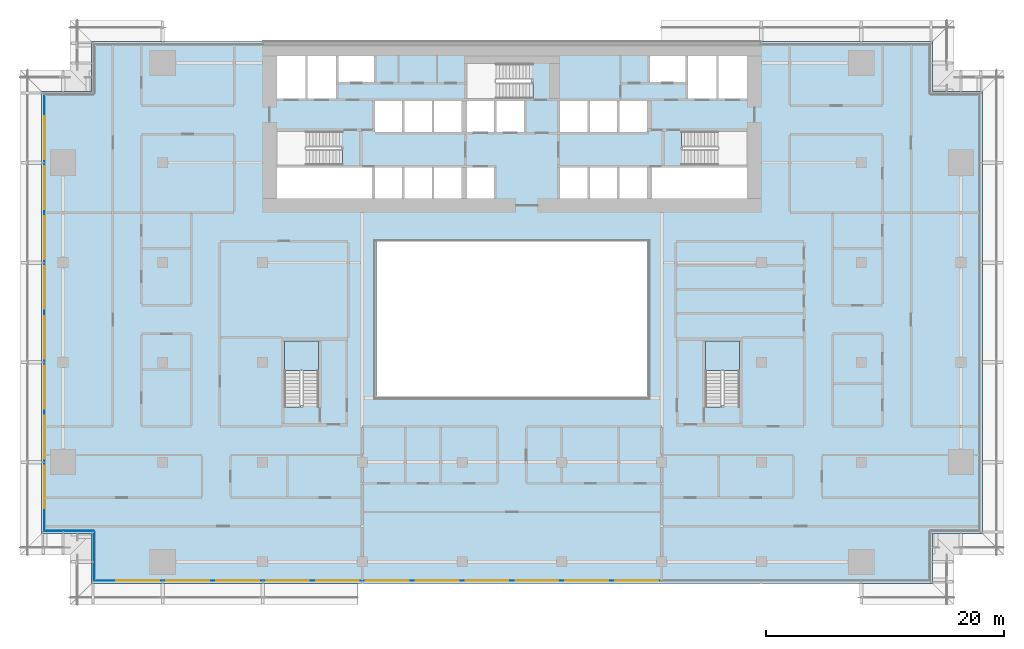
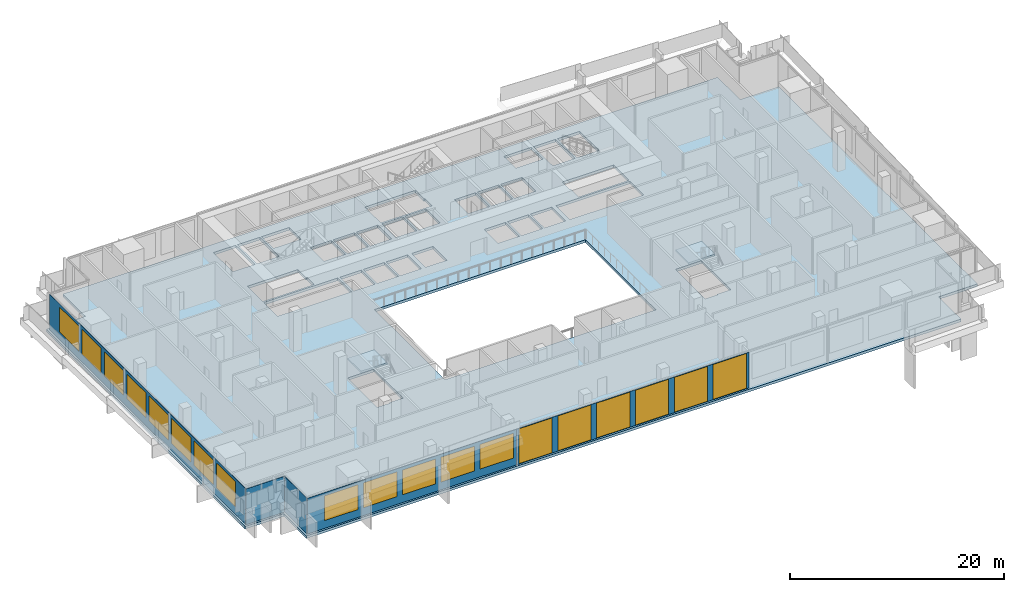
# One storey, part 11 of 23: 19 windows, 5 plates, 3 slabs, 19 openings, 6 elements without a shape of their own.
"""IFC4 building model written with IfcOpenShell, lengths in metres."""

from ifc_helpers import new_model, si_unit, direction, frame, frame_2d, origin, place, context, subcontext, project, spatial, polyline, rectangle, outline, extrude, material, layer, layer_set, type_object, element, fill, aggregate, save


model = new_model("IFC4")

# Units and contexts
model_context = context("Model", 3, precision=1e-05, world=origin(), true_north=direction((0.0, 1.0)))
body_context = subcontext(model_context, "Body", "Model", "MODEL_VIEW")
ifc_project = project(units=[si_unit("LENGTHUNIT", "METRE"), si_unit("AREAUNIT", "SQUARE_METRE"), si_unit("VOLUMEUNIT", "CUBIC_METRE"), si_unit("PLANEANGLEUNIT", "RADIAN"), si_unit("MASSUNIT", "GRAM", prefix="KILO")], contexts=[model_context])

# Site, building, storey
site_placement = place(None, origin())
site = spatial("IfcSite", under=ifc_project, at=site_placement, CompositionType="ELEMENT")
building_placement = place(site_placement, origin())
building = spatial("IfcBuilding", under=site, at=building_placement, Name="Saffron Gate Tower", CompositionType="ELEMENT")
storey_placement = place(building_placement, frame((0.0, 0.0, 23.699951171875)))
storey = spatial("IfcBuildingStorey", under=building, at=storey_placement, Name="L04", CompositionType="ELEMENT", Elevation=23.699951171875)

# Curtain wall, plates, openings, windows
ifc_material_1 = material(Name="Aluminium, bronze anodised", Category="aluminium")
curtain_wall_type = type_object("IfcCurtainWallType", Name="CWS6 curtain wall tall storeys", PredefinedType="NOTDEFINED", material=ifc_material_1)
curtain_wall_1_placement = place(storey_placement, origin())
curtain_wall_1 = element("IfcCurtainWall", 1, at=curtain_wall_1_placement, inside=storey, type_object=curtain_wall_type, Name="CWS6 run 1", PredefinedType="NOTDEFINED")
ifc_material_2 = material(Name="Clear low-iron laminated glass", Category="glass")
ifc_layer_1 = layer(ifc_material_2, 0.028076171875)
ifc_layer_set_1 = layer_set([ifc_layer_1], Name="CWS6 clear glass")
plate_type_1 = type_object("IfcPlateType", Name="CWS6 clear glass", PredefinedType="CURTAIN_PANEL", material=ifc_layer_set_1)
plate_1_placement = place(storey_placement, frame((75.0400390625, 30.214111328125, 0.0), z_axis=(0.0, 0.0, 1.0), x_axis=(1.0, 0.0, 0.0)))
plate_1 = element("IfcPlate", 2, at=plate_1_placement, type_object=plate_type_1, Name="CWS6 clear glass panel", PredefinedType="CURTAIN_PANEL", context=body_context, shape_type="SweptSolid", body=[
    extrude(rectangle(XDim=25.119873046875, YDim=0.028076171875, at=frame_2d((12.56005859375, 0.0))), origin(), (0.0, 0.0, 1.0), 4.080078125),
])
opening_1_placement = place(plate_1_placement, frame((0.260009765625, 0.0, 0.050048828125)))
opening_1 = element("IfcOpeningElement", 3, at=opening_1_placement, cuts=plate_1, Name="Opening WA", PredefinedType="OPENING", context=body_context, shape_type="SweptSolid", body=[
    extrude(rectangle(XDim=3.60009765625, YDim=3.97998046875, at=frame_2d((1.800048828125, 1.989990234375))), frame((0.0, 0.02392578125, 0.0), z_axis=(0.0, -1.0, 0.0), x_axis=(1.0, 0.0, 0.0)), (0.0, 0.0, 1.0), 0.048095703125),
])
opening_2_placement = place(plate_1_placement, frame((4.4599609375, 0.0, 0.050048828125)))
opening_2 = element("IfcOpeningElement", 4, at=opening_2_placement, cuts=plate_1, Name="Opening WA", PredefinedType="OPENING", context=body_context, shape_type="SweptSolid", body=[
    extrude(rectangle(XDim=3.60009765625, YDim=3.97998046875, at=frame_2d((1.800048828125, 1.989990234375))), frame((0.0, 0.02392578125, 0.0), z_axis=(0.0, -1.0, 0.0), x_axis=(1.0, 0.0, 0.0)), (0.0, 0.0, 1.0), 0.048095703125),
])
opening_3_placement = place(plate_1_placement, frame((8.659912109375, 0.0, 0.050048828125)))
opening_3 = element("IfcOpeningElement", 5, at=opening_3_placement, cuts=plate_1, Name="Opening WA", PredefinedType="OPENING", context=body_context, shape_type="SweptSolid", body=[
    extrude(rectangle(XDim=3.60009765625, YDim=3.97998046875, at=frame_2d((1.800048828125, 1.989990234375))), frame((0.0, 0.02392578125, 0.0), z_axis=(0.0, -1.0, 0.0), x_axis=(1.0, 0.0, 0.0)), (0.0, 0.0, 1.0), 0.048095703125),
])
opening_4_placement = place(plate_1_placement, frame((12.860107421875, 0.0, 0.050048828125)))
opening_4 = element("IfcOpeningElement", 6, at=opening_4_placement, cuts=plate_1, Name="Opening WA", PredefinedType="OPENING", context=body_context, shape_type="SweptSolid", body=[
    extrude(rectangle(XDim=3.60009765625, YDim=3.97998046875, at=frame_2d((1.800048828125, 1.989990234375))), frame((0.0, 0.02392578125, 0.0), z_axis=(0.0, -1.0, 0.0), x_axis=(1.0, 0.0, 0.0)), (0.0, 0.0, 1.0), 0.048095703125),
])
opening_5_placement = place(plate_1_placement, frame((17.06005859375, 0.0, 0.050048828125)))
opening_5 = element("IfcOpeningElement", 7, at=opening_5_placement, cuts=plate_1, Name="Opening WA", PredefinedType="OPENING", context=body_context, shape_type="SweptSolid", body=[
    extrude(rectangle(XDim=3.60009765625, YDim=3.97998046875, at=frame_2d((1.800048828125, 1.989990234375))), frame((0.0, 0.02392578125, 0.0), z_axis=(0.0, -1.0, 0.0), x_axis=(1.0, 0.0, 0.0)), (0.0, 0.0, 1.0), 0.048095703125),
])
opening_6_placement = place(plate_1_placement, frame((21.260009765625, 0.0, 0.050048828125)))
opening_6 = element("IfcOpeningElement", 8, at=opening_6_placement, cuts=plate_1, Name="Opening WA", PredefinedType="OPENING", context=body_context, shape_type="SweptSolid", body=[
    extrude(rectangle(XDim=3.60009765625, YDim=3.97998046875, at=frame_2d((1.800048828125, 1.989990234375))), frame((0.0, 0.02392578125, 0.0), z_axis=(0.0, -1.0, 0.0), x_axis=(1.0, 0.0, 0.0)), (0.0, 0.0, 1.0), 0.048095703125),
])
ifc_material_3 = material(Name="Clear low-iron laminated glass in bronze frame", Category="glass")
ifc_layer_2 = layer(ifc_material_3, 0.06005859375)
ifc_layer_set_2 = layer_set([ifc_layer_2], Name="WA operable atrium unit 3600x3980")
window_type_1 = type_object("IfcWindowType", Name="WA operable atrium unit 3600x3980", PartitioningType="DOUBLE_PANEL_HORIZONTAL", PredefinedType="WINDOW", material=ifc_layer_set_2)
window_1_placement = place(opening_1_placement, origin())
window_1 = element("IfcWindow", 9, at=window_1_placement, type_object=window_type_1, Name="WA operable atrium unit", OverallHeight=3.97998046875, OverallWidth=3.60009765625, PartitioningType="SINGLE_PANEL", PredefinedType="WINDOW", context=body_context, shape_type="SweptSolid", body=[
    extrude(rectangle(XDim=3.60009765625, YDim=3.97998046875, at=frame_2d((1.800048828125, 1.989990234375))), frame((0.0, 0.013671875, 0.0), z_axis=(0.0, -1.0, 0.0), x_axis=(1.0, 0.0, 0.0)), (0.0, 0.0, 1.0), 0.027587890625),
])
fill(opening_1, window_1)
window_2_placement = place(opening_2_placement, origin())
window_2 = element("IfcWindow", 10, at=window_2_placement, type_object=window_type_1, Name="WA operable atrium unit", OverallHeight=3.97998046875, OverallWidth=3.60009765625, PartitioningType="SINGLE_PANEL", PredefinedType="WINDOW", context=body_context, shape_type="SweptSolid", body=[
    extrude(rectangle(XDim=3.60009765625, YDim=3.97998046875, at=frame_2d((1.800048828125, 1.989990234375))), frame((0.0, 0.013671875, 0.0), z_axis=(0.0, -1.0, 0.0), x_axis=(1.0, 0.0, 0.0)), (0.0, 0.0, 1.0), 0.027587890625),
])
fill(opening_2, window_2)
window_3_placement = place(opening_3_placement, origin())
window_3 = element("IfcWindow", 11, at=window_3_placement, type_object=window_type_1, Name="WA operable atrium unit", OverallHeight=3.97998046875, OverallWidth=3.60009765625, PartitioningType="SINGLE_PANEL", PredefinedType="WINDOW", context=body_context, shape_type="SweptSolid", body=[
    extrude(rectangle(XDim=3.60009765625, YDim=3.97998046875, at=frame_2d((1.800048828125, 1.989990234375))), frame((0.0, 0.013671875, 0.0), z_axis=(0.0, -1.0, 0.0), x_axis=(1.0, 0.0, 0.0)), (0.0, 0.0, 1.0), 0.027587890625),
])
fill(opening_3, window_3)
window_4_placement = place(opening_4_placement, origin())
window_4 = element("IfcWindow", 12, at=window_4_placement, type_object=window_type_1, Name="WA operable atrium unit", OverallHeight=3.97998046875, OverallWidth=3.60009765625, PartitioningType="SINGLE_PANEL", PredefinedType="WINDOW", context=body_context, shape_type="SweptSolid", body=[
    extrude(rectangle(XDim=3.60009765625, YDim=3.97998046875, at=frame_2d((1.800048828125, 1.989990234375))), frame((0.0, 0.013671875, 0.0), z_axis=(0.0, -1.0, 0.0), x_axis=(1.0, 0.0, 0.0)), (0.0, 0.0, 1.0), 0.027587890625),
])
fill(opening_4, window_4)
window_5_placement = place(opening_5_placement, origin())
window_5 = element("IfcWindow", 13, at=window_5_placement, type_object=window_type_1, Name="WA operable atrium unit", OverallHeight=3.97998046875, OverallWidth=3.60009765625, PartitioningType="SINGLE_PANEL", PredefinedType="WINDOW", context=body_context, shape_type="SweptSolid", body=[
    extrude(rectangle(XDim=3.60009765625, YDim=3.97998046875, at=frame_2d((1.800048828125, 1.989990234375))), frame((0.0, 0.013671875, 0.0), z_axis=(0.0, -1.0, 0.0), x_axis=(1.0, 0.0, 0.0)), (0.0, 0.0, 1.0), 0.027587890625),
])
fill(opening_5, window_5)
window_6_placement = place(opening_6_placement, origin())
window_6 = element("IfcWindow", 14, at=window_6_placement, type_object=window_type_1, Name="WA operable atrium unit", OverallHeight=3.97998046875, OverallWidth=3.60009765625, PartitioningType="SINGLE_PANEL", PredefinedType="WINDOW", context=body_context, shape_type="SweptSolid", body=[
    extrude(rectangle(XDim=3.60009765625, YDim=3.97998046875, at=frame_2d((1.800048828125, 1.989990234375))), frame((0.0, 0.013671875, 0.0), z_axis=(0.0, -1.0, 0.0), x_axis=(1.0, 0.0, 0.0)), (0.0, 0.0, 1.0), 0.027587890625),
])
fill(opening_6, window_6)
ifc_material_4 = material(Name="Fritted bronze-tinted laminated glass", Category="glass")
ifc_layer_3 = layer(ifc_material_4, 0.028076171875)
ifc_layer_set_3 = layer_set([ifc_layer_3], Name="CWS6 fixed glass")
plate_type_2 = type_object("IfcPlateType", Name="CWS6 fixed glass", PredefinedType="CURTAIN_PANEL", material=ifc_layer_set_3)
plate_2_placement = place(storey_placement, frame((52.427978515625, 30.214111328125, 0.0), z_axis=(0.0, 0.0, 1.0), x_axis=(1.0, 0.0, 0.0)))
plate_2 = element("IfcPlate", 15, at=plate_2_placement, type_object=plate_type_2, Name="CWS6 glass panel", PredefinedType="CURTAIN_PANEL", context=body_context, shape_type="SweptSolid", body=[
    extrude(rectangle(XDim=22.612060546875, YDim=0.028076171875, at=frame_2d((11.30615234375, 0.0))), origin(), (0.0, 0.0, 1.0), 4.080078125),
])
opening_7_placement = place(plate_2_placement, frame((1.8720703125, 0.0, 0.89990234375)))
opening_7 = element("IfcOpeningElement", 16, at=opening_7_placement, cuts=plate_2, Name="Opening W3", PredefinedType="OPENING", context=body_context, shape_type="SweptSolid", body=[
    extrude(rectangle(XDim=3.60009765625, YDim=2.830078125, at=frame_2d((1.800048828125, 1.4150390625))), frame((0.0, 0.02392578125, 0.0), z_axis=(0.0, -1.0, 0.0), x_axis=(1.0, 0.0, 0.0)), (0.0, 0.0, 1.0), 0.048095703125),
])
opening_8_placement = place(plate_2_placement, frame((6.072021484375, 0.0, 0.89990234375)))
opening_8 = element("IfcOpeningElement", 17, at=opening_8_placement, cuts=plate_2, Name="Opening W3", PredefinedType="OPENING", context=body_context, shape_type="SweptSolid", body=[
    extrude(rectangle(XDim=3.60009765625, YDim=2.830078125, at=frame_2d((1.800048828125, 1.4150390625))), frame((0.0, 0.02392578125, 0.0), z_axis=(0.0, -1.0, 0.0), x_axis=(1.0, 0.0, 0.0)), (0.0, 0.0, 1.0), 0.048095703125),
])
opening_9_placement = place(plate_2_placement, frame((10.27197265625, 0.0, 0.89990234375)))
opening_9 = element("IfcOpeningElement", 18, at=opening_9_placement, cuts=plate_2, Name="Opening W3", PredefinedType="OPENING", context=body_context, shape_type="SweptSolid", body=[
    extrude(rectangle(XDim=3.60009765625, YDim=2.830078125, at=frame_2d((1.800048828125, 1.4150390625))), frame((0.0, 0.02392578125, 0.0), z_axis=(0.0, -1.0, 0.0), x_axis=(1.0, 0.0, 0.0)), (0.0, 0.0, 1.0), 0.048095703125),
])
opening_10_placement = place(plate_2_placement, frame((14.471923828125, 0.0, 0.89990234375)))
opening_10 = element("IfcOpeningElement", 19, at=opening_10_placement, cuts=plate_2, Name="Opening W3", PredefinedType="OPENING", context=body_context, shape_type="SweptSolid", body=[
    extrude(rectangle(XDim=3.60009765625, YDim=2.830078125, at=frame_2d((1.800048828125, 1.4150390625))), frame((0.0, 0.02392578125, 0.0), z_axis=(0.0, -1.0, 0.0), x_axis=(1.0, 0.0, 0.0)), (0.0, 0.0, 1.0), 0.048095703125),
])
opening_11_placement = place(plate_2_placement, frame((18.672119140625, 0.0, 0.89990234375)))
opening_11 = element("IfcOpeningElement", 20, at=opening_11_placement, cuts=plate_2, Name="Opening W3", PredefinedType="OPENING", context=body_context, shape_type="SweptSolid", body=[
    extrude(rectangle(XDim=3.60009765625, YDim=2.830078125, at=frame_2d((1.800048828125, 1.4150390625))), frame((0.0, 0.02392578125, 0.0), z_axis=(0.0, -1.0, 0.0), x_axis=(1.0, 0.0, 0.0)), (0.0, 0.0, 1.0), 0.048095703125),
])
ifc_material_5 = material(Name="Fritted bronze-tinted laminated glass in bronze frame", Category="glass")
ifc_layer_4 = layer(ifc_material_5, 0.06005859375)
ifc_layer_set_4 = layer_set([ifc_layer_4], Name="W3 operable panel 3600x2830")
window_type_2 = type_object("IfcWindowType", Name="W3 operable panel 3600x2830", PartitioningType="DOUBLE_PANEL_HORIZONTAL", PredefinedType="WINDOW", material=ifc_layer_set_4)
window_7_placement = place(opening_7_placement, origin())
window_7 = element("IfcWindow", 21, at=window_7_placement, type_object=window_type_2, Name="W3 operable panel", OverallHeight=2.830078125, OverallWidth=3.60009765625, PartitioningType="SINGLE_PANEL", PredefinedType="WINDOW", context=body_context, shape_type="SweptSolid", body=[
    extrude(rectangle(XDim=3.60009765625, YDim=2.830078125, at=frame_2d((1.800048828125, 1.4150390625))), frame((0.0, 0.013671875, 0.0), z_axis=(0.0, -1.0, 0.0), x_axis=(1.0, 0.0, 0.0)), (0.0, 0.0, 1.0), 0.027587890625),
])
fill(opening_7, window_7)
window_8_placement = place(opening_8_placement, origin())
window_8 = element("IfcWindow", 22, at=window_8_placement, type_object=window_type_2, Name="W3 operable panel", OverallHeight=2.830078125, OverallWidth=3.60009765625, PartitioningType="SINGLE_PANEL", PredefinedType="WINDOW", context=body_context, shape_type="SweptSolid", body=[
    extrude(rectangle(XDim=3.60009765625, YDim=2.830078125, at=frame_2d((1.800048828125, 1.4150390625))), frame((0.0, 0.013671875, 0.0), z_axis=(0.0, -1.0, 0.0), x_axis=(1.0, 0.0, 0.0)), (0.0, 0.0, 1.0), 0.027587890625),
])
fill(opening_8, window_8)
window_9_placement = place(opening_9_placement, origin())
window_9 = element("IfcWindow", 23, at=window_9_placement, type_object=window_type_2, Name="W3 operable panel", OverallHeight=2.830078125, OverallWidth=3.60009765625, PartitioningType="SINGLE_PANEL", PredefinedType="WINDOW", context=body_context, shape_type="SweptSolid", body=[
    extrude(rectangle(XDim=3.60009765625, YDim=2.830078125, at=frame_2d((1.800048828125, 1.4150390625))), frame((0.0, 0.013671875, 0.0), z_axis=(0.0, -1.0, 0.0), x_axis=(1.0, 0.0, 0.0)), (0.0, 0.0, 1.0), 0.027587890625),
])
fill(opening_9, window_9)
window_10_placement = place(opening_10_placement, origin())
window_10 = element("IfcWindow", 24, at=window_10_placement, type_object=window_type_2, Name="W3 operable panel", OverallHeight=2.830078125, OverallWidth=3.60009765625, PartitioningType="SINGLE_PANEL", PredefinedType="WINDOW", context=body_context, shape_type="SweptSolid", body=[
    extrude(rectangle(XDim=3.60009765625, YDim=2.830078125, at=frame_2d((1.800048828125, 1.4150390625))), frame((0.0, 0.013671875, 0.0), z_axis=(0.0, -1.0, 0.0), x_axis=(1.0, 0.0, 0.0)), (0.0, 0.0, 1.0), 0.027587890625),
])
fill(opening_10, window_10)
window_11_placement = place(opening_11_placement, origin())
window_11 = element("IfcWindow", 25, at=window_11_placement, type_object=window_type_2, Name="W3 operable panel", OverallHeight=2.830078125, OverallWidth=3.60009765625, PartitioningType="SINGLE_PANEL", PredefinedType="WINDOW", context=body_context, shape_type="SweptSolid", body=[
    extrude(rectangle(XDim=3.60009765625, YDim=2.830078125, at=frame_2d((1.800048828125, 1.4150390625))), frame((0.0, 0.013671875, 0.0), z_axis=(0.0, -1.0, 0.0), x_axis=(1.0, 0.0, 0.0)), (0.0, 0.0, 1.0), 0.027587890625),
])
fill(opening_11, window_11)
aggregate(curtain_wall_1, [plate_2, plate_1, window_7, window_8, window_9, window_10, window_11, window_1, window_2, window_3, window_4, window_5, window_6])

# Curtain wall, plate, openings, windows
curtain_wall_2_placement = place(storey_placement, origin())
curtain_wall_2 = element("IfcCurtainWall", 26, at=curtain_wall_2_placement, inside=storey, type_object=curtain_wall_type, Name="CWS6 run 10", PredefinedType="NOTDEFINED")
plate_3_placement = place(storey_placement, frame((48.214111328125, 71.172119140625, 0.0), z_axis=(0.0, 0.0, 1.0), x_axis=(0.0, -1.0, 0.0)))
plate_3 = element("IfcPlate", 27, at=plate_3_placement, type_object=plate_type_2, Name="CWS6 glass panel", PredefinedType="CURTAIN_PANEL", context=body_context, shape_type="SweptSolid", body=[
    extrude(rectangle(XDim=36.744140625, YDim=0.028076171875, at=frame_2d((18.3720703125, 0.0))), origin(), (0.0, 0.0, 1.0), 4.080078125),
])
opening_12_placement = place(plate_3_placement, frame((1.8720703125, 0.0, 0.89990234375)))
opening_12 = element("IfcOpeningElement", 28, at=opening_12_placement, cuts=plate_3, Name="Opening W3", PredefinedType="OPENING", context=body_context, shape_type="SweptSolid", body=[
    extrude(rectangle(XDim=3.60009765625, YDim=2.830078125, at=frame_2d((1.800048828125, 1.4150390625))), frame((0.0, 0.02392578125, 0.0), z_axis=(0.0, -1.0, 0.0), x_axis=(1.0, 0.0, 0.0)), (0.0, 0.0, 1.0), 0.048095703125),
])
opening_13_placement = place(plate_3_placement, frame((6.072021484375, 0.0, 0.89990234375)))
opening_13 = element("IfcOpeningElement", 29, at=opening_13_placement, cuts=plate_3, Name="Opening W3", PredefinedType="OPENING", context=body_context, shape_type="SweptSolid", body=[
    extrude(rectangle(XDim=3.60009765625, YDim=2.830078125, at=frame_2d((1.800048828125, 1.4150390625))), frame((0.0, 0.02392578125, 0.0), z_axis=(0.0, -1.0, 0.0), x_axis=(1.0, 0.0, 0.0)), (0.0, 0.0, 1.0), 0.048095703125),
])
opening_14_placement = place(plate_3_placement, frame((10.27197265625, 0.0, 0.89990234375)))
opening_14 = element("IfcOpeningElement", 30, at=opening_14_placement, cuts=plate_3, Name="Opening W3", PredefinedType="OPENING", context=body_context, shape_type="SweptSolid", body=[
    extrude(rectangle(XDim=3.60009765625, YDim=2.830078125, at=frame_2d((1.800048828125, 1.4150390625))), frame((0.0, 0.02392578125, 0.0), z_axis=(0.0, -1.0, 0.0), x_axis=(1.0, 0.0, 0.0)), (0.0, 0.0, 1.0), 0.048095703125),
])
opening_15_placement = place(plate_3_placement, frame((14.471923828125, 0.0, 0.89990234375)))
opening_15 = element("IfcOpeningElement", 31, at=opening_15_placement, cuts=plate_3, Name="Opening W3", PredefinedType="OPENING", context=body_context, shape_type="SweptSolid", body=[
    extrude(rectangle(XDim=3.60009765625, YDim=2.830078125, at=frame_2d((1.800048828125, 1.4150390625))), frame((0.0, 0.02392578125, 0.0), z_axis=(0.0, -1.0, 0.0), x_axis=(1.0, 0.0, 0.0)), (0.0, 0.0, 1.0), 0.048095703125),
])
opening_16_placement = place(plate_3_placement, frame((18.672119140625, 0.0, 0.89990234375)))
opening_16 = element("IfcOpeningElement", 32, at=opening_16_placement, cuts=plate_3, Name="Opening W3", PredefinedType="OPENING", context=body_context, shape_type="SweptSolid", body=[
    extrude(rectangle(XDim=3.60009765625, YDim=2.830078125, at=frame_2d((1.800048828125, 1.4150390625))), frame((0.0, 0.02392578125, 0.0), z_axis=(0.0, -1.0, 0.0), x_axis=(1.0, 0.0, 0.0)), (0.0, 0.0, 1.0), 0.048095703125),
])
opening_17_placement = place(plate_3_placement, frame((22.8720703125, 0.0, 0.89990234375)))
opening_17 = element("IfcOpeningElement", 33, at=opening_17_placement, cuts=plate_3, Name="Opening W3", PredefinedType="OPENING", context=body_context, shape_type="SweptSolid", body=[
    extrude(rectangle(XDim=3.60009765625, YDim=2.830078125, at=frame_2d((1.800048828125, 1.4150390625))), frame((0.0, 0.02392578125, 0.0), z_axis=(0.0, -1.0, 0.0), x_axis=(1.0, 0.0, 0.0)), (0.0, 0.0, 1.0), 0.048095703125),
])
opening_18_placement = place(plate_3_placement, frame((27.072021484375, 0.0, 0.89990234375)))
opening_18 = element("IfcOpeningElement", 34, at=opening_18_placement, cuts=plate_3, Name="Opening W3", PredefinedType="OPENING", context=body_context, shape_type="SweptSolid", body=[
    extrude(rectangle(XDim=3.60009765625, YDim=2.830078125, at=frame_2d((1.800048828125, 1.4150390625))), frame((0.0, 0.02392578125, 0.0), z_axis=(0.0, -1.0, 0.0), x_axis=(1.0, 0.0, 0.0)), (0.0, 0.0, 1.0), 0.048095703125),
])
opening_19_placement = place(plate_3_placement, frame((31.27197265625, 0.0, 0.89990234375)))
opening_19 = element("IfcOpeningElement", 35, at=opening_19_placement, cuts=plate_3, Name="Opening W3", PredefinedType="OPENING", context=body_context, shape_type="SweptSolid", body=[
    extrude(rectangle(XDim=3.60009765625, YDim=2.830078125, at=frame_2d((1.800048828125, 1.4150390625))), frame((0.0, 0.02392578125, 0.0), z_axis=(0.0, -1.0, 0.0), x_axis=(1.0, 0.0, 0.0)), (0.0, 0.0, 1.0), 0.048095703125),
])
window_12_placement = place(opening_12_placement, origin())
window_12 = element("IfcWindow", 36, at=window_12_placement, type_object=window_type_2, Name="W3 operable panel", OverallHeight=2.830078125, OverallWidth=3.60009765625, PartitioningType="SINGLE_PANEL", PredefinedType="WINDOW", context=body_context, shape_type="SweptSolid", body=[
    extrude(rectangle(XDim=3.60009765625, YDim=2.830078125, at=frame_2d((1.800048828125, 1.4150390625))), frame((0.0, 0.013671875, 0.0), z_axis=(0.0, -1.0, 0.0), x_axis=(1.0, 0.0, 0.0)), (0.0, 0.0, 1.0), 0.027587890625),
])
fill(opening_12, window_12)
window_13_placement = place(opening_13_placement, origin())
window_13 = element("IfcWindow", 37, at=window_13_placement, type_object=window_type_2, Name="W3 operable panel", OverallHeight=2.830078125, OverallWidth=3.60009765625, PartitioningType="SINGLE_PANEL", PredefinedType="WINDOW", context=body_context, shape_type="SweptSolid", body=[
    extrude(rectangle(XDim=3.60009765625, YDim=2.830078125, at=frame_2d((1.800048828125, 1.4150390625))), frame((0.0, 0.013671875, 0.0), z_axis=(0.0, -1.0, 0.0), x_axis=(1.0, 0.0, 0.0)), (0.0, 0.0, 1.0), 0.027587890625),
])
fill(opening_13, window_13)
window_14_placement = place(opening_14_placement, origin())
window_14 = element("IfcWindow", 38, at=window_14_placement, type_object=window_type_2, Name="W3 operable panel", OverallHeight=2.830078125, OverallWidth=3.60009765625, PartitioningType="SINGLE_PANEL", PredefinedType="WINDOW", context=body_context, shape_type="SweptSolid", body=[
    extrude(rectangle(XDim=3.60009765625, YDim=2.830078125, at=frame_2d((1.800048828125, 1.4150390625))), frame((0.0, 0.013671875, 0.0), z_axis=(0.0, -1.0, 0.0), x_axis=(1.0, 0.0, 0.0)), (0.0, 0.0, 1.0), 0.027587890625),
])
fill(opening_14, window_14)
window_15_placement = place(opening_15_placement, origin())
window_15 = element("IfcWindow", 39, at=window_15_placement, type_object=window_type_2, Name="W3 operable panel", OverallHeight=2.830078125, OverallWidth=3.60009765625, PartitioningType="SINGLE_PANEL", PredefinedType="WINDOW", context=body_context, shape_type="SweptSolid", body=[
    extrude(rectangle(XDim=3.60009765625, YDim=2.830078125, at=frame_2d((1.800048828125, 1.4150390625))), frame((0.0, 0.013671875, 0.0), z_axis=(0.0, -1.0, 0.0), x_axis=(1.0, 0.0, 0.0)), (0.0, 0.0, 1.0), 0.027587890625),
])
fill(opening_15, window_15)
window_16_placement = place(opening_16_placement, origin())
window_16 = element("IfcWindow", 40, at=window_16_placement, type_object=window_type_2, Name="W3 operable panel", OverallHeight=2.830078125, OverallWidth=3.60009765625, PartitioningType="SINGLE_PANEL", PredefinedType="WINDOW", context=body_context, shape_type="SweptSolid", body=[
    extrude(rectangle(XDim=3.60009765625, YDim=2.830078125, at=frame_2d((1.800048828125, 1.4150390625))), frame((0.0, 0.013671875, 0.0), z_axis=(0.0, -1.0, 0.0), x_axis=(1.0, 0.0, 0.0)), (0.0, 0.0, 1.0), 0.027587890625),
])
fill(opening_16, window_16)
window_17_placement = place(opening_17_placement, origin())
window_17 = element("IfcWindow", 41, at=window_17_placement, type_object=window_type_2, Name="W3 operable panel", OverallHeight=2.830078125, OverallWidth=3.60009765625, PartitioningType="SINGLE_PANEL", PredefinedType="WINDOW", context=body_context, shape_type="SweptSolid", body=[
    extrude(rectangle(XDim=3.60009765625, YDim=2.830078125, at=frame_2d((1.800048828125, 1.4150390625))), frame((0.0, 0.013671875, 0.0), z_axis=(0.0, -1.0, 0.0), x_axis=(1.0, 0.0, 0.0)), (0.0, 0.0, 1.0), 0.027587890625),
])
fill(opening_17, window_17)
window_18_placement = place(opening_18_placement, origin())
window_18 = element("IfcWindow", 42, at=window_18_placement, type_object=window_type_2, Name="W3 operable panel", OverallHeight=2.830078125, OverallWidth=3.60009765625, PartitioningType="SINGLE_PANEL", PredefinedType="WINDOW", context=body_context, shape_type="SweptSolid", body=[
    extrude(rectangle(XDim=3.60009765625, YDim=2.830078125, at=frame_2d((1.800048828125, 1.4150390625))), frame((0.0, 0.013671875, 0.0), z_axis=(0.0, -1.0, 0.0), x_axis=(1.0, 0.0, 0.0)), (0.0, 0.0, 1.0), 0.027587890625),
])
fill(opening_18, window_18)
window_19_placement = place(opening_19_placement, origin())
window_19 = element("IfcWindow", 43, at=window_19_placement, type_object=window_type_2, Name="W3 operable panel", OverallHeight=2.830078125, OverallWidth=3.60009765625, PartitioningType="SINGLE_PANEL", PredefinedType="WINDOW", context=body_context, shape_type="SweptSolid", body=[
    extrude(rectangle(XDim=3.60009765625, YDim=2.830078125, at=frame_2d((1.800048828125, 1.4150390625))), frame((0.0, 0.013671875, 0.0), z_axis=(0.0, -1.0, 0.0), x_axis=(1.0, 0.0, 0.0)), (0.0, 0.0, 1.0), 0.027587890625),
])
fill(opening_19, window_19)
aggregate(curtain_wall_2, [plate_3, window_12, window_13, window_14, window_15, window_16, window_17, window_18, window_19])

# Curtain wall, plate
curtain_wall_3_placement = place(storey_placement, origin())
curtain_wall_3 = element("IfcCurtainWall", 44, at=curtain_wall_3_placement, inside=storey, type_object=curtain_wall_type, Name="CWS6 run 11", PredefinedType="NOTDEFINED")
plate_4_placement = place(storey_placement, frame((48.22802734375, 34.4140625, 0.0), z_axis=(0.0, 0.0, 1.0), x_axis=(1.0, 0.0, 0.0)))
plate_4 = element("IfcPlate", 45, at=plate_4_placement, type_object=plate_type_2, Name="CWS6 glass panel", PredefinedType="CURTAIN_PANEL", context=body_context, shape_type="SweptSolid", body=[
    extrude(rectangle(XDim=4.171875, YDim=0.028076171875, at=frame_2d((2.0859375, 0.0))), origin(), (0.0, 0.0, 1.0), 4.080078125),
])
aggregate(curtain_wall_3, [plate_4])

curtain_wall_4_placement = place(storey_placement, origin())
curtain_wall_4 = element("IfcCurtainWall", 46, at=curtain_wall_4_placement, inside=storey, type_object=curtain_wall_type, Name="CWS6 run 12", PredefinedType="NOTDEFINED")
plate_5_placement = place(storey_placement, frame((52.4140625, 34.39990234375, 0.0), z_axis=(0.0, 0.0, 1.0), x_axis=(0.0, -1.0, 0.0)))
plate_5 = element("IfcPlate", 47, at=plate_5_placement, type_object=plate_type_2, Name="CWS6 glass panel", PredefinedType="CURTAIN_PANEL", context=body_context, shape_type="SweptSolid", body=[
    extrude(rectangle(XDim=4.171875, YDim=0.028076171875, at=frame_2d((2.0859375, 0.0))), origin(), (0.0, 0.0, 1.0), 4.080078125),
])
aggregate(curtain_wall_4, [plate_5])

# Slab
ifc_material_6 = material(Name="Concrete C40", Category="concrete")
ifc_layer_5 = layer(ifc_material_6, 0.300048828125)
ifc_layer_set_5 = layer_set([ifc_layer_5], Name="S3 FLOOR SLAB 300 CONCRETE C40")
slab_type_1 = type_object("IfcSlabType", Name="S3 FLOOR SLAB 300 CONCRETE C40", PredefinedType="FLOOR", material=ifc_layer_set_5)
slab_1_placement = place(storey_placement, frame((0.0, 0.0, -0.300048828125)))
element("IfcSlab", 48, at=slab_1_placement, inside=storey, type_object=slab_type_1, Name="S3 FLOOR SLAB", PredefinedType="FLOOR", context=body_context, shape_type="SweptSolid", body=[
    extrude(outline(polyline([(48.0, 34.199951171875), (52.199951171875, 34.199951171875), (52.199951171875, 30.0), (123.0, 30.0), (123.0, 34.199951171875), (127.199951171875, 34.199951171875), (127.199951171875, 71.39990234375), (123.0, 71.39990234375), (123.0, 75.60009765625), (52.199951171875, 75.60009765625), (52.199951171875, 71.39990234375), (48.0, 71.39990234375), (48.0, 34.199951171875)]), holes=[polyline([(67.800048828125, 62.39990234375), (67.800048828125, 65.0), (75.800048828125, 65.0), (75.800048828125, 62.39990234375), (67.800048828125, 62.39990234375)]), polyline([(67.800048828125, 65.199951171875), (67.800048828125, 68.050048828125), (73.25, 68.050048828125), (73.25, 66.550048828125), (73.34912109375, 66.550048828125), (73.34912109375, 65.199951171875), (67.800048828125, 65.199951171875)]), polyline([(67.800048828125, 70.800048828125), (67.800048828125, 74.39990234375), (70.199951171875, 74.39990234375), (70.199951171875, 70.800048828125), (67.800048828125, 70.800048828125)]), polyline([(68.449951171875, 44.85107421875), (68.449951171875, 50.39990234375), (71.300048828125, 50.39990234375), (71.300048828125, 44.949951171875), (69.800048828125, 44.949951171875), (69.800048828125, 44.85107421875), (68.449951171875, 44.85107421875)]), polyline([(70.39990234375, 70.800048828125), (70.39990234375, 74.39990234375), (72.800048828125, 74.39990234375), (72.800048828125, 70.800048828125), (70.39990234375, 70.800048828125)]), polyline([(73.0, 72.199951171875), (73.0, 74.39990234375), (76.0, 74.39990234375), (76.0, 72.199951171875), (73.0, 72.199951171875)]), polyline([(76.050048828125, 62.39990234375), (76.050048828125, 65.0), (78.35009765625, 65.0), (78.35009765625, 62.39990234375), (76.050048828125, 62.39990234375)]), polyline([(76.050048828125, 68.0), (76.050048828125, 70.60009765625), (78.35009765625, 70.60009765625), (78.35009765625, 68.0), (76.050048828125, 68.0)]), polyline([(76.199951171875, 45.60009765625), (76.199951171875, 58.800048828125), (99.0, 58.800048828125), (99.0, 45.60009765625), (76.199951171875, 45.60009765625)]), polyline([(78.550048828125, 62.39990234375), (78.550048828125, 65.0), (80.85009765625, 65.0), (80.85009765625, 62.39990234375), (78.550048828125, 62.39990234375)]), polyline([(78.550048828125, 68.0), (78.550048828125, 70.60009765625), (80.85009765625, 70.60009765625), (80.85009765625, 68.0), (78.550048828125, 68.0)]), polyline([(81.050048828125, 62.39990234375), (81.050048828125, 65.0), (83.35009765625, 65.0), (83.35009765625, 62.39990234375), (81.050048828125, 62.39990234375)]), polyline([(81.050048828125, 68.0), (81.050048828125, 70.60009765625), (83.35009765625, 70.60009765625), (83.35009765625, 68.0), (81.050048828125, 68.0)]), polyline([(83.800048828125, 62.39990234375), (83.800048828125, 65.0), (86.10009765625, 65.0), (86.10009765625, 62.39990234375), (83.800048828125, 62.39990234375)]), polyline([(83.800048828125, 68.0), (83.800048828125, 70.60009765625), (86.10009765625, 70.60009765625), (86.10009765625, 68.0), (83.800048828125, 68.0)]), polyline([(83.800048828125, 70.800048828125), (83.800048828125, 73.75), (89.25, 73.75), (89.25, 72.14990234375), (89.34912109375, 72.14990234375), (89.34912109375, 70.800048828125), (83.800048828125, 70.800048828125)]), polyline([(86.300048828125, 68.0), (86.300048828125, 70.60009765625), (88.60009765625, 70.60009765625), (88.60009765625, 68.0), (86.300048828125, 68.0)]), polyline([(91.64990234375, 62.39990234375), (91.64990234375, 65.0), (93.949951171875, 65.0), (93.949951171875, 62.39990234375), (91.64990234375, 62.39990234375)]), polyline([(91.64990234375, 68.0), (91.64990234375, 70.60009765625), (93.949951171875, 70.60009765625), (93.949951171875, 68.0), (91.64990234375, 68.0)]), polyline([(94.14990234375, 62.39990234375), (94.14990234375, 65.0), (96.449951171875, 65.0), (96.449951171875, 62.39990234375), (94.14990234375, 62.39990234375)]), polyline([(94.14990234375, 68.0), (94.14990234375, 70.60009765625), (96.449951171875, 70.60009765625), (96.449951171875, 68.0), (94.14990234375, 68.0)]), polyline([(96.64990234375, 62.39990234375), (96.64990234375, 65.0), (98.949951171875, 65.0), (98.949951171875, 62.39990234375), (96.64990234375, 62.39990234375)]), polyline([(96.64990234375, 68.0), (96.64990234375, 70.60009765625), (98.949951171875, 70.60009765625), (98.949951171875, 68.0), (96.64990234375, 68.0)]), polyline([(99.199951171875, 72.199951171875), (99.199951171875, 74.39990234375), (102.199951171875, 74.39990234375), (102.199951171875, 72.199951171875), (99.199951171875, 72.199951171875)]), polyline([(99.39990234375, 62.39990234375), (99.39990234375, 65.0), (107.39990234375, 65.0), (107.39990234375, 62.39990234375), (99.39990234375, 62.39990234375)]), polyline([(101.85107421875, 66.699951171875), (101.85107421875, 68.050048828125), (107.39990234375, 68.050048828125), (107.39990234375, 65.199951171875), (101.949951171875, 65.199951171875), (101.949951171875, 66.699951171875), (101.85107421875, 66.699951171875)]), polyline([(102.39990234375, 70.800048828125), (102.39990234375, 74.39990234375), (104.800048828125, 74.39990234375), (104.800048828125, 70.800048828125), (102.39990234375, 70.800048828125)]), polyline([(103.89990234375, 44.85107421875), (103.89990234375, 50.39990234375), (106.75, 50.39990234375), (106.75, 44.949951171875), (105.25, 44.949951171875), (105.25, 44.85107421875), (103.89990234375, 44.85107421875)]), polyline([(105.0, 70.800048828125), (105.0, 74.39990234375), (107.39990234375, 74.39990234375), (107.39990234375, 70.800048828125), (105.0, 70.800048828125)])]), origin(), (0.0, 0.0, 1.0), 0.300048828125),
])

# Stair, slab
stair_type = type_object("IfcStairType", Name="ST6 Stair 1350 wide, 24 risers of 188", PredefinedType="HALF_TURN_STAIR", material=ifc_material_6)
stair_1_placement = place(storey_placement, origin())
stair_1 = element("IfcStair", 49, at=stair_1_placement, inside=storey, type_object=stair_type, Name="L04 Exit stair D", PredefinedType="HALF_TURN_STAIR")
ifc_layer_6 = layer(ifc_material_6, 0.199951171875)
ifc_layer_set_6 = layer_set([ifc_layer_6], Name="SL1 Stair landing 200")
slab_type_2 = type_object("IfcSlabType", Name="SL1 Stair landing 200", PredefinedType="LANDING", material=ifc_layer_set_6)
slab_2_placement = place(storey_placement, frame((0.0, 0.0, 2.050048828125)))
slab_2 = element("IfcSlab", 50, at=slab_2_placement, type_object=slab_type_2, Name="ST-D landing 1", PredefinedType="LANDING", context=body_context, shape_type="SweptSolid", body=[
    extrude(outline(polyline([(71.300048828125, 47.929931640625), (71.300048828125, 50.39990234375), (68.449951171875, 50.39990234375), (68.449951171875, 47.929931640625), (71.300048828125, 47.929931640625)])), origin(), (0.0, 0.0, 1.0), 0.199951171875),
])
aggregate(stair_1, [slab_2])

stair_2_placement = place(storey_placement, origin())
stair_2 = element("IfcStair", 51, at=stair_2_placement, inside=storey, type_object=stair_type, Name="L04 Exit stair E", PredefinedType="HALF_TURN_STAIR")
slab_3_placement = place(storey_placement, frame((0.0, 0.0, 2.050048828125)))
slab_3 = element("IfcSlab", 52, at=slab_3_placement, type_object=slab_type_2, Name="ST-E landing 1", PredefinedType="LANDING", context=body_context, shape_type="SweptSolid", body=[
    extrude(outline(polyline([(106.75, 47.929931640625), (106.75, 50.39990234375), (103.89990234375, 50.39990234375), (103.89990234375, 47.929931640625), (106.75, 47.929931640625)])), origin(), (0.0, 0.0, 1.0), 0.199951171875),
])
aggregate(stair_2, [slab_3])

save(model, "model.ifc")
